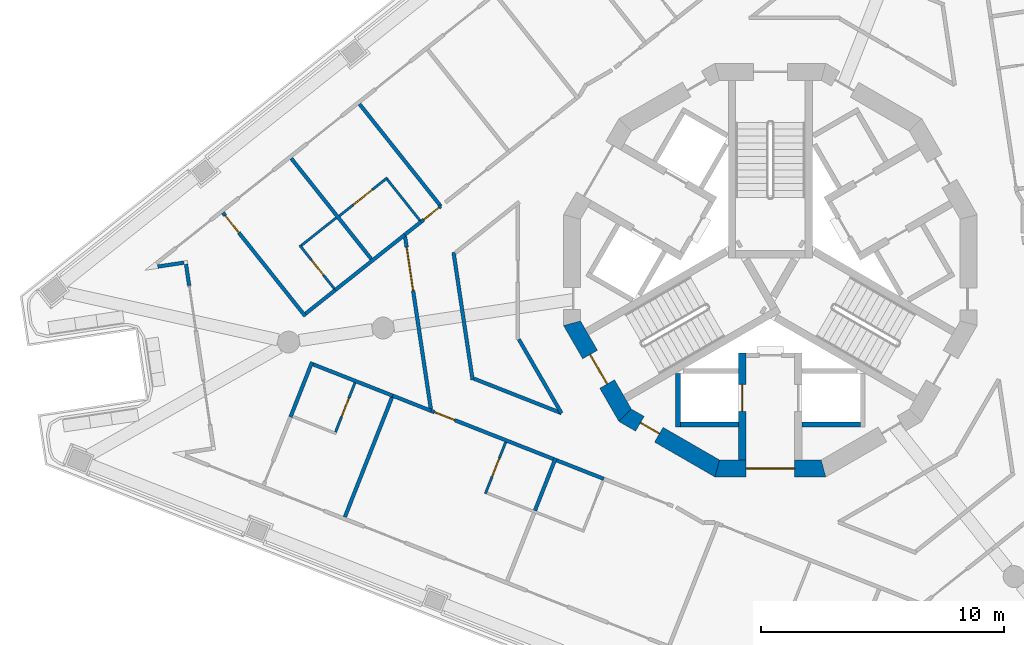
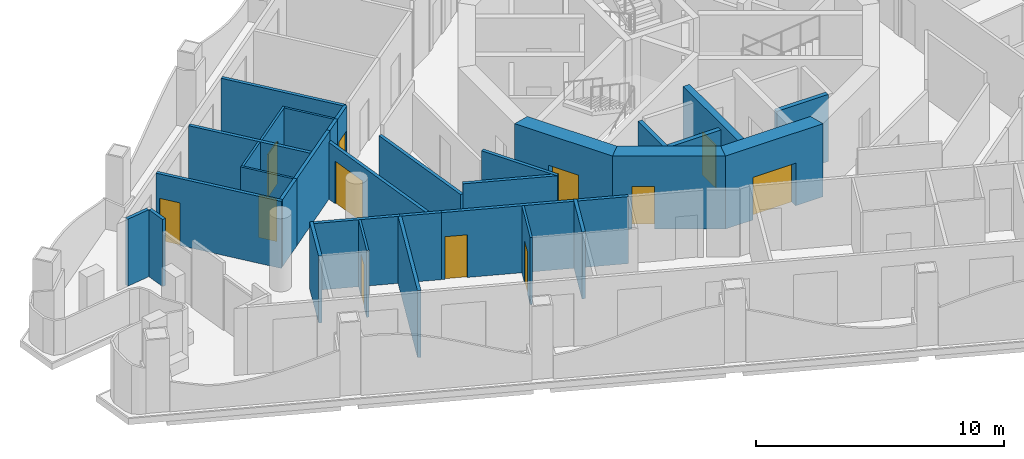
# One storey, part 3 of 16: 33 walls, 12 doors, 12 openings.
"""IFC4 building model written with IfcOpenShell, lengths in metres."""

from ifc_helpers import new_model, si_unit, direction, frame, frame_2d, origin, place, context, subcontext, project, spatial, polyline, rectangle, outline, extrude, material, layer, layer_set, type_object, element, fill, save


model = new_model("IFC4")

# Units and contexts
model_context = context("Model", 3, precision=1e-05, world=origin(), true_north=direction((0.0, 1.0)))
body_context = subcontext(model_context, "Body", "Model", "MODEL_VIEW")
ifc_project = project(units=[si_unit("LENGTHUNIT", "METRE"), si_unit("AREAUNIT", "SQUARE_METRE"), si_unit("VOLUMEUNIT", "CUBIC_METRE"), si_unit("PLANEANGLEUNIT", "RADIAN"), si_unit("MASSUNIT", "GRAM", prefix="KILO")], contexts=[model_context])

# Site, building, storey
site_placement = place(None, origin())
site = spatial("IfcSite", under=ifc_project, at=site_placement, CompositionType="ELEMENT")
building_placement = place(site_placement, origin())
building = spatial("IfcBuilding", under=site, at=building_placement, Name="Trine Commons Tower", CompositionType="ELEMENT")
storey_placement = place(building_placement, frame((0.0, 0.0, 201.60009765625)))
storey = spatial("IfcBuildingStorey", under=building, at=storey_placement, Name="L52", CompositionType="ELEMENT", Elevation=201.60009765625)

# Walls
ifc_material_1 = material(Name="Aluminium-framed insulated wall panel", Category="aluminium")
ifc_layer_1 = layer(ifc_material_1, 0.14990234375)
ifc_layer_set_1 = layer_set([ifc_layer_1], Name="Aluminium-framed insulated wall panel")
wall_type_1 = type_object("IfcWallType", Name="Glazed frame wall 150, EI 60", PredefinedType="SOLIDWALL", material=ifc_layer_set_1)
wall_1_placement = place(storey_placement, frame((56.115966796875, 61.86279296875, 0.0), z_axis=(0.0, 0.0, 1.0), x_axis=(-0.147946480694, 0.988995368468, 0.0)))
element("IfcWall", 1, at=wall_1_placement, inside=storey, type_object=wall_type_1, Name="Glazed frame wall P3.5", PredefinedType="SOLIDWALL", context=body_context, shape_type="SweptSolid", body=[
    extrude(outline(polyline([(0.889892578125, 0.074951171875), (0.0, 0.074951171875), (0.0, -0.074951171875), (0.889892578125, -0.074951171875), (0.889892578125, 0.074951171875)])), origin(), (0.0, 0.0, 1.0), 3.2998046875),
])
wall_2_placement = place(storey_placement, frame((56.0078125, 62.822265625, 0.0), z_axis=(0.0, 0.0, 1.0), x_axis=(-0.98902141065, -0.147772288596, 0.0)))
element("IfcWall", 2, at=wall_2_placement, inside=storey, type_object=wall_type_1, Name="Glazed frame wall R12", PredefinedType="SOLIDWALL", context=body_context, shape_type="SweptSolid", body=[
    extrude(outline(polyline([(0.110107421875, 0.074951171875), (0.110107421875, -0.074951171875), (1.19580078125, -0.074951171875), (1.19580078125, 0.074951171875), (0.110107421875, 0.074951171875)])), origin(), (0.0, 0.0, 1.0), 3.2998046875),
])

# Wall, opening, door
ifc_material_2 = material(Name="Concrete C60/75", Category="concrete")
ifc_layer_2 = layer(ifc_material_2, 0.300048828125)
ifc_layer_set_2 = layer_set([ifc_layer_2], Name="Concrete C60/75")
wall_type_2 = type_object("IfcWallType", Name="RC shear wall 300 mm, C60/75", PredefinedType="SHEAR", material=ifc_layer_set_2)
wall_3_placement = place(storey_placement, frame((78.85009765625, 59.10009765625, 0.0), z_axis=(0.0, 0.0, 1.0), x_axis=(0.0, -1.0, 0.0)))
wall_3 = element("IfcWall", 3, at=wall_3_placement, inside=storey, type_object=wall_type_2, Name="Core cross wall SWC-03 L52", PredefinedType="SHEAR", context=body_context, shape_type="SweptSolid", body=[
    extrude(rectangle(XDim=4.400146484375, YDim=0.300048828125, at=frame_2d((2.2001953125, 0.0))), origin(), (0.0, 0.0, 1.0), 3.599853515625),
])
opening_1_placement = place(wall_3_placement, frame((1.300048828125, 0.0, 0.0)))
opening_1 = element("IfcOpeningElement", 4, at=opening_1_placement, cuts=wall_3, Name="Opening LD10", PredefinedType="OPENING", context=body_context, shape_type="SweptSolid", body=[
    extrude(rectangle(XDim=1.10009765625, YDim=2.10009765625, at=frame_2d((0.550048828125, 1.050048828125))), frame((0.0, 0.159912109375, 0.0), z_axis=(0.0, -1.0, 0.0), x_axis=(1.0, 0.0, 0.0)), (0.0, 0.0, 1.0), 0.320068359375),
])
ifc_material_3 = material(Name="Stainless steel sliding door leaves", Category="steel")
door_type_1 = type_object("IfcDoorType", Name="Lift landing door, centre-opening sliding 1100 x 2100, FD90", OperationType="DOUBLE_DOOR_SLIDING", PredefinedType="DOOR", material=ifc_material_3)
door_1_placement = place(opening_1_placement, origin())
door_1 = element("IfcDoor", 5, at=door_1_placement, inside=storey, type_object=door_type_1, Name="Lift landing door FF2 L52", OperationType="DOUBLE_DOOR_SLIDING", OverallHeight=2.10009765625, OverallWidth=1.10009765625, PredefinedType="DOOR", context=body_context, shape_type="SweptSolid", body=[
    extrude(rectangle(XDim=1.10009765625, YDim=2.10009765625, at=frame_2d((0.550048828125, 1.050048828125))), frame((0.0, 0.02490234375, 0.0), z_axis=(0.0, -1.0, 0.0), x_axis=(1.0, 0.0, 0.0)), (0.0, 0.0, 1.0), 0.050048828125),
])
fill(opening_1, door_1)

ifc_layer_3 = layer(ifc_material_2, 0.699951171875)
ifc_layer_set_3 = layer_set([ifc_layer_3], Name="Concrete C60/75")
wall_type_3 = type_object("IfcWallType", Name="RC shear wall 700 mm, C60/75", PredefinedType="SHEAR", material=ifc_layer_set_3)
wall_4_placement = place(storey_placement, frame((71.802978515625, 60.3974609375, 0.0), z_axis=(0.0, 0.0, 1.0), x_axis=(0.499983800959, -0.866034756103, 0.0)))
wall_4 = element("IfcWall", 6, at=wall_4_placement, inside=storey, type_object=wall_type_3, Name="Core wall CWF-08 L52", PredefinedType="SHEAR", context=body_context, shape_type="SweptSolid", body=[
    extrude(outline(polyline([(0.0, -0.35009765625), (4.55517578125, -0.35009765625), (4.36767578125, 0.35009765625), (0.1875, 0.35009765625), (0.0, -0.35009765625)])), origin(), (0.0, 0.0, 1.0), 3.599853515625),
])
opening_2_placement = place(wall_4_placement, frame((1.577392578125, 0.0, 0.0)))
opening_2 = element("IfcOpeningElement", 7, at=opening_2_placement, cuts=wall_4, Name="Opening K16.02", PredefinedType="OPENING", context=body_context, shape_type="SweptSolid", body=[
    extrude(rectangle(XDim=1.39990234375, YDim=2.10009765625, at=frame_2d((0.699951171875, 1.050048828125))), frame((0.0, 0.35986328125, 0.0), z_axis=(0.0, -1.0, 0.0), x_axis=(1.0, 0.0, 0.0)), (0.0, 0.0, 1.0), 0.719970703125),
])
ifc_material_4 = material(Name="Steel door leaves, fire-rated", Category="steel")
door_type_2 = type_object("IfcDoorType", Name="Stair door, double leaf 1400 x 2100, FD90", OperationType="DOUBLE_DOOR_SINGLE_SWING", PredefinedType="DOOR", material=ifc_material_4)
door_2_placement = place(opening_2_placement, origin())
door_2 = element("IfcDoor", 8, at=door_2_placement, inside=storey, type_object=door_type_2, Name="Stair door to Exit stair ST2C L52", OperationType="DOUBLE_DOOR_SINGLE_SWING", OverallHeight=2.10009765625, OverallWidth=1.39990234375, PredefinedType="DOOR", context=body_context, shape_type="SweptSolid", body=[
    extrude(rectangle(XDim=1.39990234375, YDim=2.10009765625, at=frame_2d((0.699951171875, 1.050048828125))), frame((0.0, 0.02490234375, 0.0), z_axis=(0.0, -1.0, 0.0), x_axis=(1.0, 0.0, 0.0)), (0.0, 0.0, 1.0), 0.050048828125),
])
fill(opening_2, door_2)

wall_5_placement = place(storey_placement, frame((73.952392578125, 56.58056640625, 0.0), z_axis=(0.0, 0.0, 1.0), x_axis=(0.866034756103, -0.499983800959, 0.0)))
wall_5 = element("IfcWall", 9, at=wall_5_placement, inside=storey, type_object=wall_type_3, Name="Core wall CWF-09 L52", PredefinedType="SHEAR", context=body_context, shape_type="SweptSolid", body=[
    extrude(outline(polyline([(0.0, -0.35009765625), (4.55517578125, -0.35009765625), (4.36767578125, 0.35009765625), (0.1875, 0.35009765625), (0.0, -0.35009765625)])), origin(), (0.0, 0.0, 1.0), 3.599853515625),
])
opening_3_placement = place(wall_5_placement, frame((0.791015625, 0.0, 0.0)))
opening_3 = element("IfcOpeningElement", 10, at=opening_3_placement, cuts=wall_5, Name="Opening K16.15", PredefinedType="OPENING", context=body_context, shape_type="SweptSolid", body=[
    extrude(rectangle(XDim=0.89990234375, YDim=2.10009765625, at=frame_2d((0.449951171875, 1.050048828125))), frame((0.0, 0.35986328125, 0.0), z_axis=(0.0, -1.0, 0.0), x_axis=(1.0, 0.0, 0.0)), (0.0, 0.0, 1.0), 0.719970703125),
])
ifc_material_5 = material(Name="Steel door leaf, fire-rated", Category="steel")
door_type_3 = type_object("IfcDoorType", Name="Core room door, single leaf 900 x 2100, FD30S", OperationType="SINGLE_SWING_LEFT", PredefinedType="DOOR", material=ifc_material_5)
door_3_placement = place(opening_3_placement, origin())
door_3 = element("IfcDoor", 11, at=door_3_placement, inside=storey, type_object=door_type_3, Name="Door to Parcel store L52", OperationType="SINGLE_SWING_LEFT", OverallHeight=2.10009765625, OverallWidth=0.89990234375, PredefinedType="DOOR", context=body_context, shape_type="SweptSolid", body=[
    extrude(rectangle(XDim=0.89990234375, YDim=2.10009765625, at=frame_2d((0.449951171875, 1.050048828125))), frame((0.0, 0.0751953125, 0.0), z_axis=(0.0, -1.0, 0.0), x_axis=(1.0, 0.0, 0.0)), (0.0, 0.0, 1.0), 0.050048828125),
])
fill(opening_3, door_3)

wall_6_placement = place(storey_placement, frame((77.722412109375, 54.349853515625, 0.0), z_axis=(0.0, 0.0, 1.0), x_axis=(1.0, 0.0, 0.0)))
wall_6 = element("IfcWall", 12, at=wall_6_placement, inside=storey, type_object=wall_type_3, Name="Core wall CWF-10 L52", PredefinedType="SHEAR", context=body_context, shape_type="SweptSolid", body=[
    extrude(outline(polyline([(0.0, -0.35009765625), (4.55517578125, -0.35009765625), (4.36767578125, 0.35009765625), (0.1875, 0.35009765625), (0.0, -0.35009765625)])), origin(), (0.0, 0.0, 1.0), 3.599853515625),
])
opening_4_placement = place(wall_6_placement, frame((1.277587890625, 0.0, 0.0)))
opening_4 = element("IfcOpeningElement", 13, at=opening_4_placement, cuts=wall_6, Name="Opening K16.08", PredefinedType="OPENING", context=body_context, shape_type="SweptSolid", body=[
    extrude(rectangle(XDim=2.0, YDim=2.10009765625, at=frame_2d((1.0, 1.050048828125))), frame((0.0, 0.35986328125, 0.0), z_axis=(0.0, -1.0, 0.0), x_axis=(1.0, 0.0, 0.0)), (0.0, 0.0, 1.0), 0.719970703125),
])
door_type_4 = type_object("IfcDoorType", Name="Lobby door, double leaf 2000 x 2100, FD60", OperationType="DOUBLE_DOOR_SINGLE_SWING", PredefinedType="DOOR", material=ifc_material_4)
door_4_placement = place(opening_4_placement, origin())
door_4 = element("IfcDoor", 14, at=door_4_placement, inside=storey, type_object=door_type_4, Name="Lobby door, Service and firefighting lobby L52", OperationType="DOUBLE_DOOR_SINGLE_SWING", OverallHeight=2.10009765625, OverallWidth=2.0, PredefinedType="DOOR", context=body_context, shape_type="SweptSolid", body=[
    extrude(rectangle(XDim=2.0, YDim=2.10009765625, at=frame_2d((1.0, 1.050048828125))), frame((0.0, 0.02490234375, 0.0), z_axis=(0.0, -1.0, 0.0), x_axis=(1.0, 0.0, 0.0)), (0.0, 0.0, 1.0), 0.050048828125),
])
fill(opening_4, door_4)

# Walls
ifc_material_6 = material(Name="Fire-rated gypsum shaft wall system")
ifc_layer_4 = layer(ifc_material_6, 0.199951171875)
ifc_layer_set_4 = layer_set([ifc_layer_4], Name="Fire-rated gypsum shaft wall system")
wall_type_4 = type_object("IfcWallType", Name="Shaft wall 200 mm, EI 120", PredefinedType="PARTITIONING", material=ifc_layer_set_4)
wall_7_placement = place(storey_placement, frame((76.199951171875, 58.257080078125, 0.0), z_axis=(0.0, 0.0, 1.0), x_axis=(0.0, -1.0, 0.0)))
element("IfcWall", 15, at=wall_7_placement, inside=storey, type_object=wall_type_4, Name="Shaft wall L52", PredefinedType="PARTITIONING", context=body_context, shape_type="SweptSolid", body=[
    extrude(rectangle(XDim=2.20703125, YDim=0.199951171875, at=frame_2d((1.103515625, 0.0))), origin(), (0.0, 0.0, 1.0), 3.2998046875),
])
for number, where, z_axis, x_axis, name in (
    (16, (78.699951171875, 56.14990234375, 0.0), (0.0, 0.0, 1.0), (-1.0, 0.0, 0.0), "Shaft wall L52"),
    (17, (81.300048828125, 56.14990234375, 0.0), (0.0, 0.0, 1.0), (1.0, 0.0, 0.0), "Shaft wall L52"),
):
    element("IfcWall", number, at=place(storey_placement, frame(where, z_axis=z_axis, x_axis=x_axis)), inside=storey, type_object=wall_type_4, Name=name, PredefinedType="PARTITIONING", context=body_context, shape_type="SweptSolid", body=[
        extrude(rectangle(XDim=2.39990234375, YDim=0.199951171875, at=frame_2d((1.199951171875, 0.0))), origin(), (0.0, 0.0, 1.0), 3.2998046875),
    ])

# Wall, opening, door
ifc_material_7 = material(Name="Gypsum plasterboard on steel stud", Category="steel")
ifc_layer_5 = layer(ifc_material_7, 0.14990234375)
ifc_layer_set_5 = layer_set([ifc_layer_5], Name="Gypsum plasterboard on steel stud")
wall_type_5 = type_object("IfcWallType", Name="Unit and corridor wall 150 mm, EI 60", PredefinedType="PARTITIONING", material=ifc_layer_set_5)
wall_8_placement = place(storey_placement, frame((57.50390625, 64.858642578125, 0.0), z_axis=(0.0, 0.0, 1.0), x_axis=(0.622567332104, -0.782566238089, 0.0)))
wall_8 = element("IfcWall", 18, at=wall_8_placement, inside=storey, type_object=wall_type_5, Name="Partition 001", PredefinedType="PARTITIONING", context=body_context, shape_type="SweptSolid", body=[
    extrude(rectangle(XDim=5.435302734375, YDim=0.14990234375, at=frame_2d((2.7177734375, 0.0))), origin(), (0.0, 0.0, 1.0), 3.2998046875),
])
opening_5_placement = place(wall_8_placement, frame((0.14990234375, 0.0, 0.0)))
opening_5 = element("IfcOpeningElement", 19, at=opening_5_placement, cuts=wall_8, Name="Opening D-6A05", PredefinedType="OPENING", context=body_context, shape_type="SweptSolid", body=[
    extrude(rectangle(XDim=0.89990234375, YDim=2.10009765625, at=frame_2d((0.449951171875, 1.050048828125))), frame((0.0, 0.0849609375, 0.0), z_axis=(0.0, -1.0, 0.0), x_axis=(1.0, 0.0, 0.0)), (0.0, 0.0, 1.0), 0.169921875),
])
ifc_material_8 = material(Name="Timber fire door set", Category="wood")
door_type_5 = type_object("IfcDoorType", Name="Bedroom door 900 x 2100, FD30S", OperationType="NOTDEFINED", PredefinedType="DOOR", material=ifc_material_8)
door_5_placement = place(opening_5_placement, origin())
door_5 = element("IfcDoor", 20, at=door_5_placement, inside=storey, type_object=door_type_5, Name="Door D-6A05", OperationType="SINGLE_SWING_LEFT", OverallHeight=2.10009765625, OverallWidth=0.89990234375, PredefinedType="DOOR", context=body_context, shape_type="SweptSolid", body=[
    extrude(rectangle(XDim=0.89990234375, YDim=2.10009765625, at=frame_2d((0.449951171875, 1.050048828125))), frame((0.0, 0.02490234375, 0.0), z_axis=(0.0, -1.0, 0.0), x_axis=(1.0, 0.0, 0.0)), (0.0, 0.0, 1.0), 0.050048828125),
])
fill(opening_5, door_5)

# Walls
wall_9_placement = place(storey_placement, frame((60.309814453125, 67.091796875, 0.0), z_axis=(0.0, 0.0, 1.0), x_axis=(0.622585933561, -0.782551439416, 0.0)))
element("IfcWall", 21, at=wall_9_placement, inside=storey, type_object=wall_type_5, Name="Partition 003", PredefinedType="PARTITIONING", context=body_context, shape_type="SweptSolid", body=[
    extrude(rectangle(XDim=5.28515625, YDim=0.14990234375, at=frame_2d((2.642578125, 0.0))), origin(), (0.0, 0.0, 1.0), 3.2998046875),
])
wall_10_placement = place(storey_placement, frame((60.27880859375, 56.46337890625, 0.0), z_axis=(0.0, 0.0, 1.0), x_axis=(0.366221321822, 0.930527776825, 0.0)))
element("IfcWall", 22, at=wall_10_placement, inside=storey, type_object=wall_type_5, Name="Partition 004", PredefinedType="PARTITIONING", context=body_context, shape_type="SweptSolid", body=[
    extrude(rectangle(XDim=2.42919921875, YDim=0.14990234375, at=frame_2d((1.214599609375, 0.0))), origin(), (0.0, 0.0, 1.0), 3.2998046875),
])
wall_11_placement = place(storey_placement, frame((60.899658203125, 60.710693359375, 0.0), z_axis=(0.0, 0.0, 1.0), x_axis=(0.782464556825, 0.622695123886, 0.0)))
element("IfcWall", 23, at=wall_11_placement, inside=storey, type_object=wall_type_5, Name="Partition 008", PredefinedType="PARTITIONING", context=body_context, shape_type="SweptSolid", body=[
    extrude(rectangle(XDim=1.564697265625, YDim=0.14990234375, at=frame_2d((0.7822265625, 0.0))), origin(), (0.0, 0.0, 1.0), 3.2998046875),
])
wall_12_placement = place(storey_placement, frame((61.210693359375, 58.62646484375, 0.0), z_axis=(0.0, 0.0, 1.0), x_axis=(0.930481659578, -0.36633847899, 0.0)))
element("IfcWall", 24, at=wall_12_placement, inside=storey, type_object=wall_type_5, Name="Partition 009", PredefinedType="PARTITIONING", context=body_context, shape_type="SweptSolid", body=[
    extrude(rectangle(XDim=3.511474609375, YDim=0.14990234375, at=frame_2d((1.755859375, 0.0))), origin(), (0.0, 0.0, 1.0), 3.2998046875),
])
wall_13_placement = place(storey_placement, frame((62.078857421875, 61.64990234375, 0.0), z_axis=(0.0, 0.0, 1.0), x_axis=(0.782654359685, 0.622456547291, 0.0)))
element("IfcWall", 25, at=wall_13_placement, inside=storey, type_object=wall_type_5, Name="Partition 011", PredefinedType="PARTITIONING", context=body_context, shape_type="SweptSolid", body=[
    extrude(rectangle(XDim=3.701904296875, YDim=0.14990234375, at=frame_2d((1.85107421875, 0.0))), origin(), (0.0, 0.0, 1.0), 3.2998046875),
])
wall_14_placement = place(storey_placement, frame((62.513671875, 52.352294921875, 0.0), z_axis=(0.0, 0.0, 1.0), x_axis=(0.366423948711, 0.930448004894, 0.0)))
element("IfcWall", 26, at=wall_14_placement, inside=storey, type_object=wall_type_5, Name="Partition 013", PredefinedType="PARTITIONING", context=body_context, shape_type="SweptSolid", body=[
    extrude(rectangle(XDim=5.28564453125, YDim=0.14990234375, at=frame_2d((2.642822265625, 0.0))), origin(), (0.0, 0.0, 1.0), 3.2998046875),
])
wall_15_placement = place(storey_placement, frame((63.116943359375, 69.32373046875, 0.0), z_axis=(0.0, 0.0, 1.0), x_axis=(0.622425914019, -0.7826787218, 0.0)))
element("IfcWall", 27, at=wall_15_placement, inside=storey, type_object=wall_type_5, Name="Partition 014", PredefinedType="PARTITIONING", context=body_context, shape_type="SweptSolid", body=[
    extrude(rectangle(XDim=5.359619140625, YDim=0.14990234375, at=frame_2d((2.6796875, 0.0))), origin(), (0.0, 0.0, 1.0), 3.2998046875),
])
wall_16_placement = place(storey_placement, frame((64.47802734375, 57.340087890625, 0.0), z_axis=(0.0, 0.0, 1.0), x_axis=(0.930289512217, -0.366826148822, 0.0)))
element("IfcWall", 28, at=wall_16_placement, inside=storey, type_object=wall_type_5, Name="Partition 016", PredefinedType="PARTITIONING", context=body_context, shape_type="SweptSolid", body=[
    extrude(rectangle(XDim=1.698486328125, YDim=0.14990234375, at=frame_2d((0.84912109375, 0.0))), origin(), (0.0, 0.0, 1.0), 3.2998046875),
])
wall_17_placement = place(storey_placement, frame((64.97607421875, 63.9541015625, 0.0), z_axis=(0.0, 0.0, 1.0), x_axis=(0.78256315963, 0.622571201703, 0.0)))
element("IfcWall", 29, at=wall_17_placement, inside=storey, type_object=wall_type_5, Name="Partition 017", PredefinedType="PARTITIONING", context=body_context, shape_type="SweptSolid", body=[
    extrude(rectangle(XDim=0.85595703125, YDim=0.14990234375, at=frame_2d((0.427978515625, 0.0))), origin(), (0.0, 0.0, 1.0), 3.2998046875),
])

# Wall, opening, door
wall_18_placement = place(storey_placement, frame((64.987060546875, 63.8798828125, 0.0), z_axis=(0.0, 0.0, 1.0), x_axis=(0.147865724858, -0.98900744558, 0.0)))
wall_18 = element("IfcWall", 30, at=wall_18_placement, inside=storey, type_object=wall_type_5, Name="Partition 018", PredefinedType="PARTITIONING", context=body_context, shape_type="SweptSolid", body=[
    extrude(rectangle(XDim=7.16748046875, YDim=0.14990234375, at=frame_2d((3.583740234375, 0.0))), origin(), (0.0, 0.0, 1.0), 2.7998046875),
])
opening_6_placement = place(wall_18_placement, frame((0.44677734375, 0.0, 0.0)))
opening_6 = element("IfcOpeningElement", 31, at=opening_6_placement, cuts=wall_18, Name="Opening D-6A03", PredefinedType="OPENING", context=body_context, shape_type="SweptSolid", body=[
    extrude(rectangle(XDim=1.800048828125, YDim=2.10009765625, at=frame_2d((0.89990234375, 1.050048828125))), frame((0.0, 0.0849609375, 0.0), z_axis=(0.0, -1.0, 0.0), x_axis=(1.0, 0.0, 0.0)), (0.0, 0.0, 1.0), 0.169921875),
])
door_type_6 = type_object("IfcDoorType", Name="Cluster entrance door 1800 x 2100, double leaf, FD30S", OperationType="DOUBLE_DOOR_DOUBLE_SWING", PredefinedType="DOOR", material=ifc_material_8)
door_6_placement = place(opening_6_placement, frame((1.800048828125, 0.0, 0.0), z_axis=(0.0, 0.0, 1.0), x_axis=(-1.0, 0.0, 0.0)))
door_6 = element("IfcDoor", 32, at=door_6_placement, inside=storey, type_object=door_type_6, Name="Door D-6A03", OperationType="DOUBLE_DOOR_DOUBLE_SWING", OverallHeight=2.10009765625, OverallWidth=1.800048828125, PredefinedType="DOOR", context=body_context, shape_type="SweptSolid", body=[
    extrude(rectangle(XDim=1.800048828125, YDim=2.10009765625, at=frame_2d((0.89990234375, 1.050048828125))), frame((0.0, 0.02490234375, 0.0), z_axis=(0.0, -1.0, 0.0), x_axis=(1.0, 0.0, 0.0)), (0.0, 0.0, 1.0), 0.050048828125),
])
fill(opening_6, door_6)

wall_19_placement = place(storey_placement, frame((65.600830078125, 64.450927734375, 0.0), z_axis=(0.0, 0.0, 1.0), x_axis=(0.782653002217, 0.622458254119, 0.0)))
wall_19 = element("IfcWall", 33, at=wall_19_placement, inside=storey, type_object=wall_type_5, Name="Partition 020", PredefinedType="PARTITIONING", context=body_context, shape_type="SweptSolid", body=[
    extrude(rectangle(XDim=1.0927734375, YDim=0.14990234375, at=frame_2d((0.54638671875, 0.0))), origin(), (0.0, 0.0, 1.0), 3.2998046875),
])
opening_7_placement = place(wall_19_placement, frame((0.198486328125, 0.0, 0.0)))
opening_7 = element("IfcOpeningElement", 34, at=opening_7_placement, cuts=wall_19, Name="Opening D-6A06", PredefinedType="OPENING", context=body_context, shape_type="SweptSolid", body=[
    extrude(rectangle(XDim=0.800048828125, YDim=2.10009765625, at=frame_2d((0.39990234375, 1.050048828125))), frame((0.0, 0.0849609375, 0.0), z_axis=(0.0, -1.0, 0.0), x_axis=(1.0, 0.0, 0.0)), (0.0, 0.0, 1.0), 0.169921875),
])
door_type_7 = type_object("IfcDoorType", Name="Bedroom door 800 x 2100, FD30S", OperationType="NOTDEFINED", PredefinedType="DOOR", material=ifc_material_8)
door_7_placement = place(opening_7_placement, origin())
door_7 = element("IfcDoor", 35, at=door_7_placement, inside=storey, type_object=door_type_7, Name="Door D-6A06", OperationType="SINGLE_SWING_RIGHT", OverallHeight=2.10009765625, OverallWidth=0.800048828125, PredefinedType="DOOR", context=body_context, shape_type="SweptSolid", body=[
    extrude(rectangle(XDim=0.800048828125, YDim=2.10009765625, at=frame_2d((0.39990234375, 1.050048828125))), frame((0.0, 0.02490234375, 0.0), z_axis=(0.0, -1.0, 0.0), x_axis=(1.0, 0.0, 0.0)), (0.0, 0.0, 1.0), 0.050048828125),
])
fill(opening_7, door_7)

wall_20_placement = place(storey_placement, frame((66.05810546875, 56.717041015625, 0.0), z_axis=(0.0, 0.0, 1.0), x_axis=(0.930458125329, -0.36639824919, 0.0)))
wall_20 = element("IfcWall", 36, at=wall_20_placement, inside=storey, type_object=wall_type_5, Name="Partition 022", PredefinedType="PARTITIONING", context=body_context, shape_type="SweptSolid", body=[
    extrude(rectangle(XDim=5.477783203125, YDim=0.14990234375, at=frame_2d((2.73876953125, 0.0))), origin(), (0.0, 0.0, 1.0), 3.2998046875),
])
opening_8_placement = place(wall_20_placement, frame((0.14990234375, 0.0, 0.0)))
opening_8 = element("IfcOpeningElement", 37, at=opening_8_placement, cuts=wall_20, Name="Opening D-6A24", PredefinedType="OPENING", context=body_context, shape_type="SweptSolid", body=[
    extrude(rectangle(XDim=0.89990234375, YDim=2.10009765625, at=frame_2d((0.449951171875, 1.050048828125))), frame((0.0, 0.0849609375, 0.0), z_axis=(0.0, -1.0, 0.0), x_axis=(1.0, 0.0, 0.0)), (0.0, 0.0, 1.0), 0.169921875),
])
door_8_placement = place(opening_8_placement, frame((0.89990234375, 0.0, 0.0), z_axis=(0.0, 0.0, 1.0), x_axis=(-1.0, 0.0, 0.0)))
door_8 = element("IfcDoor", 38, at=door_8_placement, inside=storey, type_object=door_type_5, Name="Door D-6A24", OperationType="SINGLE_SWING_RIGHT", OverallHeight=2.10009765625, OverallWidth=0.89990234375, PredefinedType="DOOR", context=body_context, shape_type="SweptSolid", body=[
    extrude(rectangle(XDim=0.89990234375, YDim=2.10009765625, at=frame_2d((0.449951171875, 1.050048828125))), frame((0.0, 0.02490234375, 0.0), z_axis=(0.0, -1.0, 0.0), x_axis=(1.0, 0.0, 0.0)), (0.0, 0.0, 1.0), 0.050048828125),
])
fill(opening_8, door_8)

# Walls
wall_21_placement = place(storey_placement, frame((66.97998046875, 63.234130859375, 0.0), z_axis=(0.0, 0.0, 1.0), x_axis=(0.14773017043, -0.989027702719, 0.0)))
element("IfcWall", 39, at=wall_21_placement, inside=storey, type_object=wall_type_5, Name="Partition 024", PredefinedType="PARTITIONING", context=body_context, shape_type="SweptSolid", body=[
    extrude(rectangle(XDim=5.301513671875, YDim=0.14990234375, at=frame_2d((2.65087890625, 0.0))), origin(), (0.0, 0.0, 1.0), 2.7998046875),
])
wall_22_placement = place(storey_placement, frame((67.82177734375, 58.03759765625, 0.0), z_axis=(0.0, 0.0, 1.0), x_axis=(0.930426693307, -0.366478059892, 0.0)))
element("IfcWall", 40, at=wall_22_placement, inside=storey, type_object=wall_type_5, Name="Partition 026", PredefinedType="PARTITIONING", context=body_context, shape_type="SweptSolid", body=[
    extrude(rectangle(XDim=3.85986328125, YDim=0.14990234375, at=frame_2d((1.929931640625, 0.0))), origin(), (0.0, 0.0, 1.0), 3.2998046875),
])
wall_23_placement = place(storey_placement, frame((69.66259765625, 59.655029296875, 0.0), z_axis=(0.0, 0.0, 1.0), x_axis=(0.50005009493, -0.865996479531, 0.0)))
element("IfcWall", 41, at=wall_23_placement, inside=storey, type_object=wall_type_5, Name="Partition 033", PredefinedType="PARTITIONING", context=body_context, shape_type="SweptSolid", body=[
    extrude(rectangle(XDim=3.504638671875, YDim=0.14990234375, at=frame_2d((1.75244140625, 0.0))), origin(), (0.0, 0.0, 1.0), 3.2998046875),
])
wall_24_placement = place(storey_placement, frame((70.326416015625, 52.617431640625, 0.0), z_axis=(0.0, 0.0, 1.0), x_axis=(0.366461165046, 0.9304333477, 0.0)))
element("IfcWall", 42, at=wall_24_placement, inside=storey, type_object=wall_type_5, Name="Partition 034", PredefinedType="PARTITIONING", context=body_context, shape_type="SweptSolid", body=[
    extrude(rectangle(XDim=2.3251953125, YDim=0.14990234375, at=frame_2d((1.16259765625, 0.0))), origin(), (0.0, 0.0, 1.0), 3.2998046875),
])
wall_25_placement = place(storey_placement, frame((71.216796875, 54.6845703125, 0.0), z_axis=(0.0, 0.0, 1.0), x_axis=(0.930587554928, -0.366069395899, 0.0)))
element("IfcWall", 43, at=wall_25_placement, inside=storey, type_object=wall_type_5, Name="Partition 035", PredefinedType="PARTITIONING", context=body_context, shape_type="SweptSolid", body=[
    extrude(rectangle(XDim=2.082763671875, YDim=0.14990234375, at=frame_2d((1.04150390625, 0.0))), origin(), (0.0, 0.0, 1.0), 3.2998046875),
])

# Wall, opening, door
ifc_layer_6 = layer(ifc_material_7, 0.10009765625)
ifc_layer_set_6 = layer_set([ifc_layer_6], Name="Gypsum plasterboard on steel stud")
wall_type_6 = type_object("IfcWallType", Name="Unit partition 100 mm, no rating", PredefinedType="PARTITIONING", material=ifc_layer_set_6)
wall_26_placement = place(storey_placement, frame((60.657958984375, 63.522216796875, 0.0), z_axis=(0.0, 0.0, 1.0), x_axis=(0.622507134747, -0.782614124067, 0.0)))
wall_26 = element("IfcWall", 44, at=wall_26_placement, inside=storey, type_object=wall_type_6, Name="Partition 006", PredefinedType="PARTITIONING", context=body_context, shape_type="SweptSolid", body=[
    extrude(rectangle(XDim=2.275146484375, YDim=0.10009765625, at=frame_2d((1.1376953125, 0.0))), origin(), (0.0, 0.0, 1.0), 3.2998046875),
])
opening_9_placement = place(wall_26_placement, frame((0.7626953125, 0.0, 0.0)))
opening_9 = element("IfcOpeningElement", 45, at=opening_9_placement, cuts=wall_26, Name="Opening D-6A29", PredefinedType="OPENING", context=body_context, shape_type="SweptSolid", body=[
    extrude(rectangle(XDim=0.800048828125, YDim=2.10009765625, at=frame_2d((0.39990234375, 1.050048828125))), frame((0.0, 0.06005859375, 0.0), z_axis=(0.0, -1.0, 0.0), x_axis=(1.0, 0.0, 0.0)), (0.0, 0.0, 1.0), 0.1201171875),
])
ifc_material_9 = material(Name="Painted timber", Category="wood")
door_type_8 = type_object("IfcDoorType", Name="Internal door 800 x 2100, NOT RATED", OperationType="NOTDEFINED", PredefinedType="DOOR", material=ifc_material_9)
door_9_placement = place(opening_9_placement, frame((0.800048828125, 0.0, 0.0), z_axis=(0.0, 0.0, 1.0), x_axis=(-1.0, 0.0, 0.0)))
door_9 = element("IfcDoor", 46, at=door_9_placement, inside=storey, type_object=door_type_8, Name="Door D-6A29", OperationType="SINGLE_SWING_LEFT", OverallHeight=2.10009765625, OverallWidth=0.800048828125, PredefinedType="DOOR", context=body_context, shape_type="SweptSolid", body=[
    extrude(rectangle(XDim=0.800048828125, YDim=2.10009765625, at=frame_2d((0.39990234375, 1.050048828125))), frame((0.0, 0.02490234375, 0.0), z_axis=(0.0, -1.0, 0.0), x_axis=(1.0, 0.0, 0.0)), (0.0, 0.0, 1.0), 0.050048828125),
])
fill(opening_9, door_9)

# Wall
wall_27_placement = place(storey_placement, frame((60.72802734375, 63.51416015625, 0.0), z_axis=(0.0, 0.0, 1.0), x_axis=(0.782562542096, 0.622571977934, 0.0)))
element("IfcWall", 47, at=wall_27_placement, inside=storey, type_object=wall_type_6, Name="Partition 007", PredefinedType="PARTITIONING", context=body_context, shape_type="SweptSolid", body=[
    extrude(rectangle(XDim=1.824951171875, YDim=0.10009765625, at=frame_2d((0.91259765625, 0.0))), origin(), (0.0, 0.0, 1.0), 3.2998046875),
])

# Wall, opening, door
wall_28_placement = place(storey_placement, frame((62.13134765625, 55.845458984375, 0.0), z_axis=(0.0, 0.0, 1.0), x_axis=(0.366100402841, 0.930575356991, 0.0)))
wall_28 = element("IfcWall", 48, at=wall_28_placement, inside=storey, type_object=wall_type_6, Name="Partition 010", PredefinedType="PARTITIONING", context=body_context, shape_type="SweptSolid", body=[
    extrude(rectangle(XDim=2.174560546875, YDim=0.10009765625, at=frame_2d((1.08740234375, 0.0))), origin(), (0.0, 0.0, 1.0), 3.2998046875),
])
opening_10_placement = place(wall_28_placement, frame((0.6875, 0.0, 0.0)))
opening_10 = element("IfcOpeningElement", 49, at=opening_10_placement, cuts=wall_28, Name="Opening D-6A45", PredefinedType="OPENING", context=body_context, shape_type="SweptSolid", body=[
    extrude(rectangle(XDim=0.800048828125, YDim=2.10009765625, at=frame_2d((0.39990234375, 1.050048828125))), frame((0.0, 0.06005859375, 0.0), z_axis=(0.0, -1.0, 0.0), x_axis=(1.0, 0.0, 0.0)), (0.0, 0.0, 1.0), 0.1201171875),
])
door_10_placement = place(opening_10_placement, frame((0.800048828125, 0.0, 0.0), z_axis=(0.0, 0.0, 1.0), x_axis=(-1.0, 0.0, 0.0)))
door_10 = element("IfcDoor", 50, at=door_10_placement, inside=storey, type_object=door_type_8, Name="Door D-6A45", OperationType="SINGLE_SWING_LEFT", OverallHeight=2.10009765625, OverallWidth=0.800048828125, PredefinedType="DOOR", context=body_context, shape_type="SweptSolid", body=[
    extrude(rectangle(XDim=0.800048828125, YDim=2.10009765625, at=frame_2d((0.39990234375, 1.050048828125))), frame((0.0, 0.02490234375, 0.0), z_axis=(0.0, -1.0, 0.0), x_axis=(1.0, 0.0, 0.0)), (0.0, 0.0, 1.0), 0.050048828125),
])
fill(opening_10, door_10)

wall_29_placement = place(storey_placement, frame((62.28662109375, 64.727783203125, 0.0), z_axis=(0.0, 0.0, 1.0), x_axis=(0.782639605126, 0.622475098689, 0.0)))
wall_29 = element("IfcWall", 51, at=wall_29_placement, inside=storey, type_object=wall_type_6, Name="Partition 012", PredefinedType="PARTITIONING", context=body_context, shape_type="SweptSolid", body=[
    extrude(rectangle(XDim=2.524169921875, YDim=0.10009765625, at=frame_2d((1.26220703125, 0.0))), origin(), (0.0, 0.0, 1.0), 3.2998046875),
])
opening_11_placement = place(wall_29_placement, frame((0.737060546875, 0.0, 0.0)))
opening_11 = element("IfcOpeningElement", 52, at=opening_11_placement, cuts=wall_29, Name="Opening D-6A30", PredefinedType="OPENING", context=body_context, shape_type="SweptSolid", body=[
    extrude(rectangle(XDim=1.0, YDim=2.10009765625, at=frame_2d((0.5, 1.050048828125))), frame((0.0, 0.06005859375, 0.0), z_axis=(0.0, -1.0, 0.0), x_axis=(1.0, 0.0, 0.0)), (0.0, 0.0, 1.0), 0.1201171875),
])
door_type_9 = type_object("IfcDoorType", Name="Internal door 1000 x 2100, NOT RATED", OperationType="NOTDEFINED", PredefinedType="DOOR", material=ifc_material_9)
door_11_placement = place(opening_11_placement, origin())
door_11 = element("IfcDoor", 53, at=door_11_placement, inside=storey, type_object=door_type_9, Name="Door D-6A30", OperationType="SINGLE_SWING_LEFT", OverallHeight=2.10009765625, OverallWidth=1.0, PredefinedType="DOOR", context=body_context, shape_type="SweptSolid", body=[
    extrude(rectangle(XDim=1.0, YDim=2.10009765625, at=frame_2d((0.5, 1.050048828125))), frame((0.0, 0.02490234375, 0.0), z_axis=(0.0, -1.0, 0.0), x_axis=(1.0, 0.0, 0.0)), (0.0, 0.0, 1.0), 0.050048828125),
])
fill(opening_11, door_11)

# Wall
wall_30_placement = place(storey_placement, frame((64.254150390625, 66.22900390625, 0.0), z_axis=(0.0, 0.0, 1.0), x_axis=(0.622717500652, -0.782446748591, 0.0)))
element("IfcWall", 54, at=wall_30_placement, inside=storey, type_object=wall_type_6, Name="Partition 015", PredefinedType="PARTITIONING", context=body_context, shape_type="SweptSolid", body=[
    extrude(rectangle(XDim=2.155029296875, YDim=0.10009765625, at=frame_2d((1.07763671875, 0.0))), origin(), (0.0, 0.0, 1.0), 3.2998046875),
])

# Wall, opening, door
wall_31_placement = place(storey_placement, frame((68.288818359375, 53.3125, 0.0), z_axis=(0.0, 0.0, 1.0), x_axis=(0.366482291334, 0.930425026608, 0.0)))
wall_31 = element("IfcWall", 55, at=wall_31_placement, inside=storey, type_object=wall_type_6, Name="Partition 027", PredefinedType="PARTITIONING", context=body_context, shape_type="SweptSolid", body=[
    extrude(rectangle(XDim=2.27490234375, YDim=0.10009765625, at=frame_2d((1.137451171875, 0.0))), origin(), (0.0, 0.0, 1.0), 3.2998046875),
])
opening_12_placement = place(wall_31_placement, frame((0.762451171875, 0.0, 0.0)))
opening_12 = element("IfcOpeningElement", 56, at=opening_12_placement, cuts=wall_31, Name="Opening D-6A44", PredefinedType="OPENING", context=body_context, shape_type="SweptSolid", body=[
    extrude(rectangle(XDim=0.800048828125, YDim=2.10009765625, at=frame_2d((0.39990234375, 1.050048828125))), frame((0.0, 0.06005859375, 0.0), z_axis=(0.0, -1.0, 0.0), x_axis=(1.0, 0.0, 0.0)), (0.0, 0.0, 1.0), 0.1201171875),
])
door_12_placement = place(opening_12_placement, origin())
door_12 = element("IfcDoor", 57, at=door_12_placement, inside=storey, type_object=door_type_8, Name="Door D-6A44", OperationType="SINGLE_SWING_RIGHT", OverallHeight=2.10009765625, OverallWidth=0.800048828125, PredefinedType="DOOR", context=body_context, shape_type="SweptSolid", body=[
    extrude(rectangle(XDim=0.800048828125, YDim=2.10009765625, at=frame_2d((0.39990234375, 1.050048828125))), frame((0.0, 0.02490234375, 0.0), z_axis=(0.0, -1.0, 0.0), x_axis=(1.0, 0.0, 0.0)), (0.0, 0.0, 1.0), 0.050048828125),
])
fill(opening_12, door_12)

save(model, "model.ifc")
